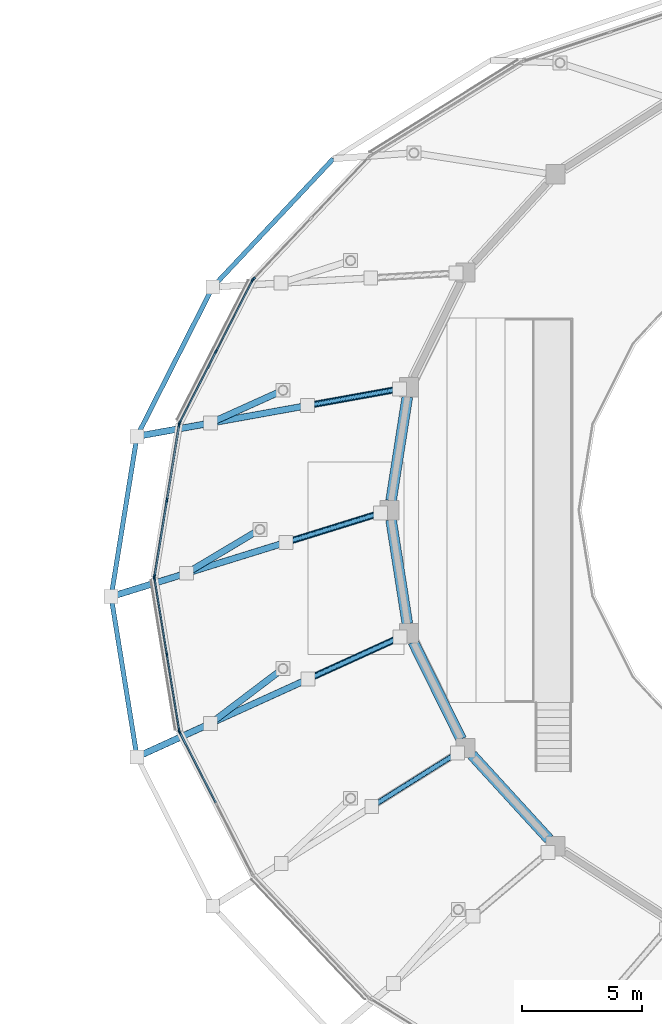
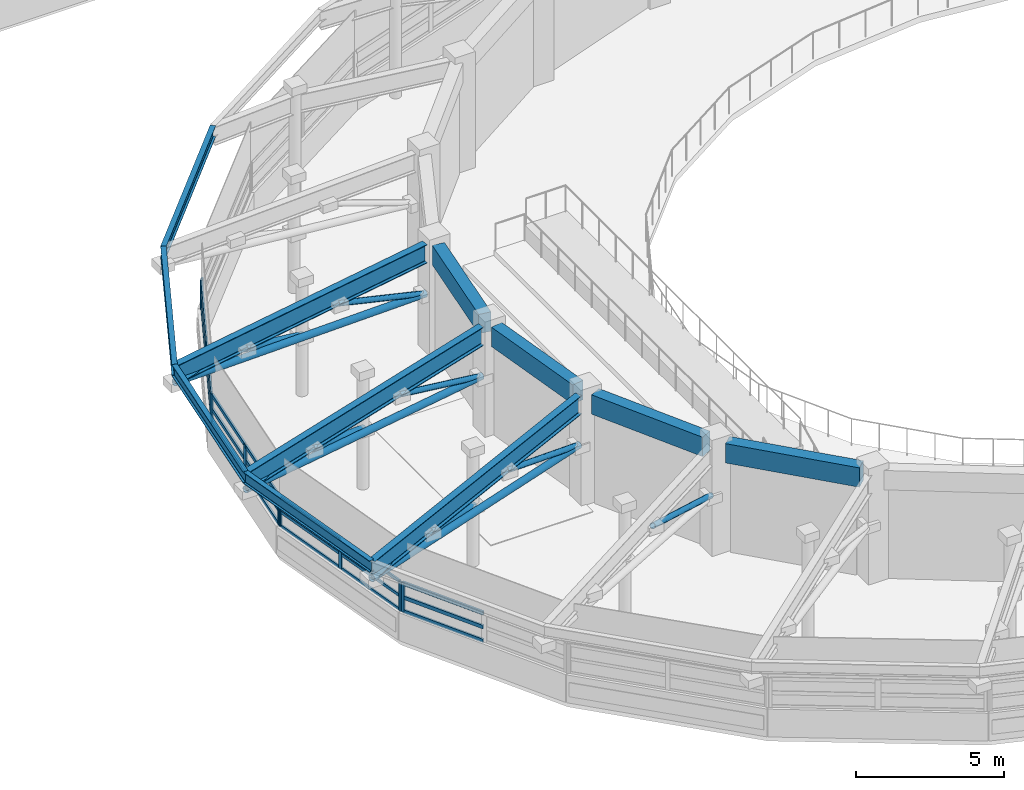
# One storey, part 15 of 58: 42 members, 11 beams, 5 elements without a shape of their own.
"""IFC4 building model written with IfcOpenShell, lengths in metres."""

from ifc_helpers import new_model, si_unit, direction, frame, origin, origin_2d, place, context, subcontext, project, spatial, rectangle, hollow_circle, i_section, extrude, material, material_profile, profile_set, type_object, element, aggregate, save


model = new_model("IFC4")

# Units and contexts
model_context = context("Model", 3, precision=1e-05, world=origin(), true_north=direction((0.0, 1.0)))
body_context = subcontext(model_context, "Body", "Model", "MODEL_VIEW")
ifc_project = project(units=[si_unit("LENGTHUNIT", "METRE"), si_unit("AREAUNIT", "SQUARE_METRE"), si_unit("VOLUMEUNIT", "CUBIC_METRE"), si_unit("PLANEANGLEUNIT", "RADIAN"), si_unit("MASSUNIT", "GRAM", prefix="KILO")], contexts=[model_context])

# Site, building, storey
site_placement = place(None, origin())
site = spatial("IfcSite", under=ifc_project, at=site_placement, CompositionType="ELEMENT")
building_placement = place(site_placement, origin())
building = spatial("IfcBuilding", under=site, at=building_placement, Name="Parian Resonance Hall", CompositionType="ELEMENT")
storey_placement = place(building_placement, frame((0.0, 0.0, 10.199951171875)))
storey = spatial("IfcBuildingStorey", under=building, at=storey_placement, Name="L02", CompositionType="ELEMENT", Elevation=10.199951171875)

# Beams
ifc_material_1 = material(Name="Concrete C40/50", Category="concrete")
ifc_material_profile_1 = material_profile(ifc_material_1, rectangle(XDim=0.449951171875, YDim=0.800048828125, at=origin_2d()), Name="RC-BM-450x800")
ifc_profile_set_1 = profile_set([ifc_material_profile_1], Name="Concrete C40/50")
beam_type_1 = type_object("IfcBeamType", Name="BM-RC450x800", PredefinedType="USERDEFINED", material=ifc_profile_set_1)
for number, where, z_axis, x_axis, name in (
    (1, (21.14208984375, 48.7294921875, 4.130126953125), (-0.155033793728, -0.987909167283, 0.0), (0.987909167283, -0.155033793728, 0.0), "Concert hall drum ring beam L02-12"),
    (2, (20.4619140625, 43.604736328125, 4.130126953125), (0.155033793728, -0.987909167283, 0.0), (0.987909167283, 0.155033793728, 0.0), "Concert hall drum ring beam L02-13"),
):
    element("IfcBeam", number, at=place(storey_placement, frame(where, z_axis=z_axis, x_axis=x_axis)), inside=storey, type_object=beam_type_1, Name=name, ObjectType="GIRDER", PredefinedType="USERDEFINED", context=body_context, shape_type="SweptSolid", body=[
        extrude(rectangle(XDim=0.449951171875, YDim=0.800048828125, at=origin_2d()), origin(), (0.0, 0.0, 1.0), 4.38720703125),
    ])
beam_1_placement = place(storey_placement, frame((21.38134765625, 38.5166015625, 4.130126953125), z_axis=(0.442697851544, -0.896670849441, 0.0), x_axis=(0.896670849441, 0.442697851544, 0.0)))
element("IfcBeam", 3, at=beam_1_placement, inside=storey, type_object=beam_type_1, Name="Concert hall drum ring beam L02-14", ObjectType="GIRDER", PredefinedType="USERDEFINED", context=body_context, shape_type="SweptSolid", body=[
    extrude(rectangle(XDim=0.449951171875, YDim=0.800048828125, at=origin_2d()), origin(), (0.0, 0.0, 1.0), 4.525390625),
])
beam_2_placement = place(storey_placement, frame((23.831787109375, 33.8046875, 4.130126953125), z_axis=(0.674892190981, -0.737916343872, 0.0), x_axis=(0.737916343872, 0.674892190981, 0.0)))
element("IfcBeam", 4, at=beam_2_placement, inside=storey, type_object=beam_type_1, Name="Concert hall drum ring beam L02-15", ObjectType="GIRDER", PredefinedType="USERDEFINED", context=body_context, shape_type="SweptSolid", body=[
    extrude(rectangle(XDim=0.449951171875, YDim=0.800048828125, at=origin_2d()), origin(), (0.0, 0.0, 1.0), 4.757080078125),
])
ifc_material_2 = material(Name="Steel S355", Category="steel")
ifc_material_profile_2 = material_profile(ifc_material_2, i_section(OverallWidth=0.194091796875, OverallDepth=0.468994140625, WebThickness=0.0126953125, FlangeThickness=0.0205078125, FilletRadius=0.01513671875, at=origin_2d()), Name="W460x106")
ifc_profile_set_2 = profile_set([ifc_material_profile_2], Name="Steel S355")
beam_type_2 = type_object("IfcBeamType", Name="BM-W460x106", PredefinedType="SPANDREL", material=ifc_profile_set_2)
beam_3_placement = place(storey_placement, frame((18.055419921875, 58.643310546875, 4.265625), z_axis=(-0.684842129235, -0.728691469708, 0.0), x_axis=(0.728691469708, -0.684842129235, 0.0)))
element("IfcBeam", 5, at=beam_3_placement, inside=storey, type_object=beam_type_2, Name="Elliptical R3 perimeter spandrel beam 10", PredefinedType="SPANDREL", context=body_context, shape_type="SweptSolid", body=[
    extrude(i_section(OverallWidth=0.194091796875, OverallDepth=0.468994140625, WebThickness=0.0126953125, FlangeThickness=0.0205078125, FilletRadius=0.01513671875, at=origin_2d()), origin(), (0.0, 0.0, 1.0), 7.332763671875),
])
beam_4_placement = place(storey_placement, frame((13.03369140625, 53.300048828125, 4.265625), z_axis=(-0.452440262938, -0.891794712068, 0.0), x_axis=(0.891794712068, -0.452440262938, 0.0)))
element("IfcBeam", 6, at=beam_4_placement, inside=storey, type_object=beam_type_2, Name="Elliptical R3 perimeter spandrel beam 11", PredefinedType="SPANDREL", context=body_context, shape_type="SweptSolid", body=[
    extrude(i_section(OverallWidth=0.194091796875, OverallDepth=0.468994140625, WebThickness=0.0126953125, FlangeThickness=0.0205078125, FilletRadius=0.01513671875, at=origin_2d()), origin(), (0.0, 0.0, 1.0), 6.977783203125),
])
for number, where, z_axis, x_axis, name in (
    (7, (9.876708984375, 47.077392578125, 4.265625), (-0.159181370366, -0.987249356206, 0.0), (0.987249356206, -0.159181370366, 0.0), "Elliptical R3 perimeter spandrel beam 12"),
    (8, (8.800048828125, 40.39990234375, 4.265625), (0.159181370366, -0.987249356206, 0.0), (0.987249356206, 0.159181370366, 0.0), "Elliptical R3 perimeter spandrel beam 13"),
):
    element("IfcBeam", number, at=place(storey_placement, frame(where, z_axis=z_axis, x_axis=x_axis)), inside=storey, type_object=beam_type_2, Name=name, PredefinedType="SPANDREL", context=body_context, shape_type="SweptSolid", body=[
        extrude(i_section(OverallWidth=0.194091796875, OverallDepth=0.468994140625, WebThickness=0.0126953125, FlangeThickness=0.0205078125, FilletRadius=0.01513671875, at=origin_2d()), origin(), (0.0, 0.0, 1.0), 6.763671875),
    ])
ifc_material_3 = material(Name="Steel S355", Category="steel")
ifc_material_profile_3 = material_profile(ifc_material_3, i_section(OverallWidth=0.26806640625, OverallDepth=0.77001953125, WebThickness=0.015625, FlangeThickness=0.025390625, FilletRadius=0.020263671875, at=origin_2d()), Name="W760x196")
ifc_profile_set_3 = profile_set([ifc_material_profile_3], Name="Steel S355")
beam_type_3 = type_object("IfcBeamType", Name="CG3 W760x196", PredefinedType="USERDEFINED", material=ifc_profile_set_3)
beam_5_placement = place(storey_placement, frame((20.810546875, 49.053466796875, 4.114990234375), z_axis=(-0.984057804085, -0.177848919644, 0.0), x_axis=(0.177848919644, -0.984057804085, 0.0)))
element("IfcBeam", 9, at=beam_5_placement, inside=storey, type_object=beam_type_3, Name="Radial ring cantilever girder R3-12", ObjectType="GIRDER", PredefinedType="USERDEFINED", context=body_context, shape_type="SweptSolid", body=[
    extrude(i_section(OverallWidth=0.26806640625, OverallDepth=0.77001953125, WebThickness=0.015625, FlangeThickness=0.025390625, FilletRadius=0.020263671875, at=origin_2d()), origin(), (0.0, 0.0, 1.0), 11.111083984375),
])
beam_6_placement = place(storey_placement, frame((20.01806640625, 43.88134765625, 4.114990234375), z_axis=(-0.955064339705, -0.296398561104, 0.0), x_axis=(0.296398561104, -0.955064339705, 0.0)))
element("IfcBeam", 10, at=beam_6_placement, inside=storey, type_object=beam_type_3, Name="Radial ring cantilever girder R3-13", ObjectType="GIRDER", PredefinedType="USERDEFINED", context=body_context, shape_type="SweptSolid", body=[
    extrude(i_section(OverallWidth=0.26806640625, OverallDepth=0.77001953125, WebThickness=0.015625, FlangeThickness=0.025390625, FilletRadius=0.020263671875, at=origin_2d()), origin(), (0.0, 0.0, 1.0), 11.745849609375),
])
beam_7_placement = place(storey_placement, frame((20.840087890625, 38.709716796875, 4.114990234375), z_axis=(-0.910242873415, -0.414074765468, 0.0), x_axis=(0.414074765468, -0.910242873415, 0.0)))
element("IfcBeam", 11, at=beam_7_placement, inside=storey, type_object=beam_type_3, Name="Radial ring cantilever girder R3-14", ObjectType="GIRDER", PredefinedType="USERDEFINED", context=body_context, shape_type="SweptSolid", body=[
    extrude(i_section(OverallWidth=0.26806640625, OverallDepth=0.77001953125, WebThickness=0.015625, FlangeThickness=0.025390625, FilletRadius=0.020263671875, at=origin_2d()), origin(), (0.0, 0.0, 1.0), 12.04443359375),
])

# Curtain wall, members
ifc_material_4 = material(Name="Bronze-anodised aluminium frame", Category="aluminium")
curtain_wall_type_1 = type_object("IfcCurtainWallType", Name="CW-SYS-06", PredefinedType="NOTDEFINED", material=ifc_material_4)
curtain_wall_1_placement = place(storey_placement, origin())
curtain_wall_1 = element("IfcCurtainWall", 12, at=curtain_wall_1_placement, inside=storey, type_object=curtain_wall_type_1, Name="Elliptical R2 recessed strip curtain wall 11", PredefinedType="NOTDEFINED")
ifc_material_5 = material(Name="Bronze-anodised aluminium frame", Category="aluminium")
ifc_material_profile_4 = material_profile(ifc_material_5, rectangle(XDim=0.06494140625, YDim=0.159912109375, at=origin_2d()), Name="CWM-65x160")
ifc_profile_set_4 = profile_set([ifc_material_profile_4], Name="Bronze-anodised aluminium frame")
member_type_1 = type_object("IfcMemberType", Name="CWM-65x160", PredefinedType="MULLION", material=ifc_profile_set_4)
member_1_placement = place(storey_placement, frame((11.657470703125, 47.647705078125, 1.14208984375), z_axis=(0.0, 0.0, 1.0), x_axis=(-0.890447284085, 0.455086403076, 0.0)))
member_1 = element("IfcMember", 13, at=member_1_placement, type_object=member_type_1, Name="CW-06 mullion 1", PredefinedType="MULLION", context=body_context, shape_type="SweptSolid", body=[
    extrude(rectangle(XDim=0.06494140625, YDim=0.159912109375, at=origin_2d()), origin(), (0.0, 0.0, 1.0), 1.218017578125),
])
member_2_placement = place(storey_placement, frame((13.171142578125, 50.609375, 1.14208984375), z_axis=(0.0, 0.0, 1.0), x_axis=(-0.890447284085, 0.455086403076, 0.0)))
member_2 = element("IfcMember", 14, at=member_2_placement, type_object=member_type_1, Name="CW-06 mullion 2", PredefinedType="MULLION", context=body_context, shape_type="SweptSolid", body=[
    extrude(rectangle(XDim=0.06494140625, YDim=0.159912109375, at=origin_2d()), origin(), (0.0, 0.0, 1.0), 1.218017578125),
])
member_3_placement = place(storey_placement, frame((14.684814453125, 53.571044921875, 1.14208984375), z_axis=(0.0, 0.0, 1.0), x_axis=(-0.890447284085, 0.455086403076, 0.0)))
member_3 = element("IfcMember", 15, at=member_3_placement, type_object=member_type_1, Name="CW-06 mullion 3", PredefinedType="MULLION", context=body_context, shape_type="SweptSolid", body=[
    extrude(rectangle(XDim=0.06494140625, YDim=0.159912109375, at=origin_2d()), origin(), (0.0, 0.0, 1.0), 1.218017578125),
])

ifc_material_6 = material(Name="Bronze-anodised aluminium frame", Category="aluminium")
curtain_wall_type_2 = type_object("IfcCurtainWallType", Name="CW-SYS-02", PredefinedType="NOTDEFINED", material=ifc_material_6)
curtain_wall_2_placement = place(storey_placement, origin())
curtain_wall_2 = element("IfcCurtainWall", 16, at=curtain_wall_2_placement, inside=storey, type_object=curtain_wall_type_2, Name="Elliptical R2 recessed strip curtain wall 13", PredefinedType="NOTDEFINED")
member_4_placement = place(storey_placement, frame((11.637451171875, 34.8134765625, 1.14208984375), z_axis=(0.0, 0.0, 1.0), x_axis=(-0.98706098059, -0.160345316726, 0.0)))
member_4 = element("IfcMember", 17, at=member_4_placement, type_object=member_type_1, Name="CW-02 mullion 1", PredefinedType="MULLION", context=body_context, shape_type="SweptSolid", body=[
    extrude(rectangle(XDim=0.06494140625, YDim=0.159912109375, at=origin_2d()), origin(), (0.0, 0.0, 1.0), 1.218017578125),
])
member_5_placement = place(storey_placement, frame((11.121337890625, 37.99072265625, 1.14208984375), z_axis=(0.0, 0.0, 1.0), x_axis=(-0.98706098059, -0.160345316726, 0.0)))
member_5 = element("IfcMember", 18, at=member_5_placement, type_object=member_type_1, Name="CW-02 mullion 2", PredefinedType="MULLION", context=body_context, shape_type="SweptSolid", body=[
    extrude(rectangle(XDim=0.06494140625, YDim=0.159912109375, at=origin_2d()), origin(), (0.0, 0.0, 1.0), 1.218017578125),
])
member_6_placement = place(storey_placement, frame((10.605224609375, 41.16796875, 1.14208984375), z_axis=(0.0, 0.0, 1.0), x_axis=(-0.98706098059, -0.160345316726, 0.0)))
member_6 = element("IfcMember", 19, at=member_6_placement, type_object=member_type_1, Name="CW-02 mullion 3", PredefinedType="MULLION", context=body_context, shape_type="SweptSolid", body=[
    extrude(rectangle(XDim=0.06494140625, YDim=0.159912109375, at=origin_2d()), origin(), (0.0, 0.0, 1.0), 1.218017578125),
])

# Curtain wall, member
ifc_material_7 = material(Name="Bronze-anodised aluminium frame", Category="aluminium")
curtain_wall_type_3 = type_object("IfcCurtainWallType", Name="CW-SYS-05", PredefinedType="NOTDEFINED", material=ifc_material_7)
curtain_wall_3_placement = place(storey_placement, origin())
curtain_wall_3 = element("IfcCurtainWall", 20, at=curtain_wall_3_placement, inside=storey, type_object=curtain_wall_type_3, Name="Elliptical R2 recessed strip curtain wall 10", PredefinedType="NOTDEFINED")
ifc_material_8 = material(Name="Bronze-anodised aluminium frame", Category="aluminium")
ifc_material_profile_5 = material_profile(ifc_material_8, rectangle(XDim=0.074951171875, YDim=0.199951171875, at=origin_2d()), Name="CWM-75x200")
ifc_profile_set_5 = profile_set([ifc_material_profile_5], Name="Bronze-anodised aluminium frame")
member_type_2 = type_object("IfcMemberType", Name="CWM-75x200", PredefinedType="MULLION", material=ifc_profile_set_5)
member_7_placement = place(storey_placement, frame((14.725341796875, 53.627197265625, 1.14208984375), z_axis=(0.0, 0.0, 1.0), x_axis=(-0.72616255486, 0.687523049737, 0.0)))
member_7 = element("IfcMember", 21, at=member_7_placement, type_object=member_type_2, Name="CW-05 mullion 1", PredefinedType="MULLION", context=body_context, shape_type="SweptSolid", body=[
    extrude(rectangle(XDim=0.074951171875, YDim=0.199951171875, at=origin_2d()), origin(), (0.0, 0.0, 1.0), 1.218017578125),
])
aggregate(curtain_wall_3, [member_7])

# Curtain wall, members
ifc_material_9 = material(Name="Bronze-anodised aluminium frame", Category="aluminium")
curtain_wall_type_4 = type_object("IfcCurtainWallType", Name="CW-SYS-01", PredefinedType="NOTDEFINED", material=ifc_material_9)
curtain_wall_4_placement = place(storey_placement, origin())
curtain_wall_4 = element("IfcCurtainWall", 22, at=curtain_wall_4_placement, inside=storey, type_object=curtain_wall_type_4, Name="Elliptical R2 recessed strip curtain wall 12", PredefinedType="NOTDEFINED")
member_8_placement = place(storey_placement, frame((10.60595703125, 41.237060546875, 1.14208984375), z_axis=(0.0, 0.0, 1.0), x_axis=(-0.98706098059, 0.160345316726, 0.0)))
member_8 = element("IfcMember", 23, at=member_8_placement, type_object=member_type_2, Name="CW-01 mullion 1", PredefinedType="MULLION", context=body_context, shape_type="SweptSolid", body=[
    extrude(rectangle(XDim=0.074951171875, YDim=0.199951171875, at=origin_2d()), origin(), (0.0, 0.0, 1.0), 1.218017578125),
])
member_9_placement = place(storey_placement, frame((11.121337890625, 44.409423828125, 1.14208984375), z_axis=(0.0, 0.0, 1.0), x_axis=(-0.98706098059, 0.160345316726, 0.0)))
member_9 = element("IfcMember", 24, at=member_9_placement, type_object=member_type_2, Name="CW-01 mullion 2", PredefinedType="MULLION", context=body_context, shape_type="SweptSolid", body=[
    extrude(rectangle(XDim=0.074951171875, YDim=0.199951171875, at=origin_2d()), origin(), (0.0, 0.0, 1.0), 1.218017578125),
])
member_10_placement = place(storey_placement, frame((11.63671875, 47.581787109375, 1.14208984375), z_axis=(0.0, 0.0, 1.0), x_axis=(-0.98706098059, 0.160345316726, 0.0)))
member_10 = element("IfcMember", 25, at=member_10_placement, type_object=member_type_2, Name="CW-01 mullion 3", PredefinedType="MULLION", context=body_context, shape_type="SweptSolid", body=[
    extrude(rectangle(XDim=0.074951171875, YDim=0.199951171875, at=origin_2d()), origin(), (0.0, 0.0, 1.0), 1.218017578125),
])

# Curtain wall, member
ifc_material_10 = material(Name="Bronze-anodised aluminium frame", Category="aluminium")
curtain_wall_type_5 = type_object("IfcCurtainWallType", Name="CW-SYS-03", PredefinedType="NOTDEFINED", material=ifc_material_10)
curtain_wall_5_placement = place(storey_placement, origin())
curtain_wall_5 = element("IfcCurtainWall", 26, at=curtain_wall_5_placement, inside=storey, type_object=curtain_wall_type_5, Name="Elliptical R2 recessed strip curtain wall 14", PredefinedType="NOTDEFINED")
member_11_placement = place(storey_placement, frame((11.65966796875, 34.747802734375, 1.14208984375), z_axis=(0.0, 0.0, 1.0), x_axis=(-0.890447284085, -0.455086403076, 0.0)))
member_11 = element("IfcMember", 27, at=member_11_placement, type_object=member_type_2, Name="CW-03 mullion 3", PredefinedType="MULLION", context=body_context, shape_type="SweptSolid", body=[
    extrude(rectangle(XDim=0.074951171875, YDim=0.199951171875, at=origin_2d()), origin(), (0.0, 0.0, 1.0), 1.218017578125),
])

# Member
ifc_material_11 = material(Name="Bronze-anodised aluminium frame", Category="aluminium")
ifc_material_profile_6 = material_profile(ifc_material_11, rectangle(XDim=0.06494140625, YDim=0.1201171875, at=origin_2d()), Name="CWT-65x120")
ifc_profile_set_6 = profile_set([ifc_material_profile_6], Name="Bronze-anodised aluminium frame")
member_type_3 = type_object("IfcMemberType", Name="CWT-65x120", PredefinedType="USERDEFINED", material=ifc_profile_set_6)
member_12_placement = place(storey_placement, frame((11.67236328125, 47.676513671875, 1.174560546875), z_axis=(0.455042464428, 0.890469738715, 0.0), x_axis=(-0.890469738715, 0.455042464428, 0.0)))
member_12 = element("IfcMember", 28, at=member_12_placement, type_object=member_type_3, Name="CW-06 transom 1.1", ObjectType="TRANSOM", PredefinedType="USERDEFINED", context=body_context, shape_type="SweptSolid", body=[
    extrude(rectangle(XDim=0.06494140625, YDim=0.1201171875, at=origin_2d()), origin(), (0.0, 0.0, 1.0), 3.260986328125),
])

member_13_placement = place(storey_placement, frame((11.67236328125, 47.676513671875, 1.75), z_axis=(0.455042464428, 0.890469738715, 0.0), x_axis=(-0.890469738715, 0.455042464428, 0.0)))
member_13 = element("IfcMember", 29, at=member_13_placement, type_object=member_type_3, Name="CW-06 transom 1.2", ObjectType="TRANSOM", PredefinedType="USERDEFINED", context=body_context, shape_type="SweptSolid", body=[
    extrude(rectangle(XDim=0.06494140625, YDim=0.1201171875, at=origin_2d()), origin(), (0.0, 0.0, 1.0), 3.260986328125),
])

member_14_placement = place(storey_placement, frame((11.67236328125, 47.676513671875, 2.32763671875), z_axis=(0.455042464428, 0.890469738715, 0.0), x_axis=(-0.890469738715, 0.455042464428, 0.0)))
member_14 = element("IfcMember", 30, at=member_14_placement, type_object=member_type_3, Name="CW-06 transom 1.3", ObjectType="TRANSOM", PredefinedType="USERDEFINED", context=body_context, shape_type="SweptSolid", body=[
    extrude(rectangle(XDim=0.06494140625, YDim=0.1201171875, at=origin_2d()), origin(), (0.0, 0.0, 1.0), 3.260986328125),
])

member_15_placement = place(storey_placement, frame((13.18603515625, 50.63818359375, 1.174560546875), z_axis=(0.455012129907, 0.890485239427, 0.0), x_axis=(-0.890485239427, 0.455012129907, 0.0)))
member_15 = element("IfcMember", 31, at=member_15_placement, type_object=member_type_3, Name="CW-06 transom 2.1", ObjectType="TRANSOM", PredefinedType="USERDEFINED", context=body_context, shape_type="SweptSolid", body=[
    extrude(rectangle(XDim=0.06494140625, YDim=0.1201171875, at=origin_2d()), origin(), (0.0, 0.0, 1.0), 3.26123046875),
])

member_16_placement = place(storey_placement, frame((13.18603515625, 50.63818359375, 1.75), z_axis=(0.455012129907, 0.890485239427, 0.0), x_axis=(-0.890485239427, 0.455012129907, 0.0)))
member_16 = element("IfcMember", 32, at=member_16_placement, type_object=member_type_3, Name="CW-06 transom 2.2", ObjectType="TRANSOM", PredefinedType="USERDEFINED", context=body_context, shape_type="SweptSolid", body=[
    extrude(rectangle(XDim=0.06494140625, YDim=0.1201171875, at=origin_2d()), origin(), (0.0, 0.0, 1.0), 3.26123046875),
])

member_17_placement = place(storey_placement, frame((13.18603515625, 50.63818359375, 2.32763671875), z_axis=(0.455012129907, 0.890485239427, 0.0), x_axis=(-0.890485239427, 0.455012129907, 0.0)))
member_17 = element("IfcMember", 33, at=member_17_placement, type_object=member_type_3, Name="CW-06 transom 2.3", ObjectType="TRANSOM", PredefinedType="USERDEFINED", context=body_context, shape_type="SweptSolid", body=[
    extrude(rectangle(XDim=0.06494140625, YDim=0.1201171875, at=origin_2d()), origin(), (0.0, 0.0, 1.0), 3.26123046875),
])

aggregate(curtain_wall_1, [member_1, member_2, member_3, member_12, member_13, member_14, member_15, member_16, member_17])

member_18_placement = place(storey_placement, frame((11.63232421875, 34.845458984375, 1.174560546875), z_axis=(-0.160393241188, 0.9870531942, 0.0), x_axis=(-0.9870531942, -0.160393241188, 0.0)))
member_18 = element("IfcMember", 34, at=member_18_placement, type_object=member_type_3, Name="CW-02 transom 1.1", ObjectType="TRANSOM", PredefinedType="USERDEFINED", context=body_context, shape_type="SweptSolid", body=[
    extrude(rectangle(XDim=0.06494140625, YDim=0.1201171875, at=origin_2d()), origin(), (0.0, 0.0, 1.0), 3.15380859375),
])

member_19_placement = place(storey_placement, frame((11.63232421875, 34.845458984375, 1.75), z_axis=(-0.160393241188, 0.9870531942, 0.0), x_axis=(-0.9870531942, -0.160393241188, 0.0)))
member_19 = element("IfcMember", 35, at=member_19_placement, type_object=member_type_3, Name="CW-02 transom 1.2", ObjectType="TRANSOM", PredefinedType="USERDEFINED", context=body_context, shape_type="SweptSolid", body=[
    extrude(rectangle(XDim=0.06494140625, YDim=0.1201171875, at=origin_2d()), origin(), (0.0, 0.0, 1.0), 3.15380859375),
])

member_20_placement = place(storey_placement, frame((11.63232421875, 34.845458984375, 2.32763671875), z_axis=(-0.160393241188, 0.9870531942, 0.0), x_axis=(-0.9870531942, -0.160393241188, 0.0)))
member_20 = element("IfcMember", 36, at=member_20_placement, type_object=member_type_3, Name="CW-02 transom 1.3", ObjectType="TRANSOM", PredefinedType="USERDEFINED", context=body_context, shape_type="SweptSolid", body=[
    extrude(rectangle(XDim=0.06494140625, YDim=0.1201171875, at=origin_2d()), origin(), (0.0, 0.0, 1.0), 3.15380859375),
])

member_21_placement = place(storey_placement, frame((11.1162109375, 38.022705078125, 1.174560546875), z_axis=(-0.160393241188, 0.9870531942, 0.0), x_axis=(-0.9870531942, -0.160393241188, 0.0)))
member_21 = element("IfcMember", 37, at=member_21_placement, type_object=member_type_3, Name="CW-02 transom 2.1", ObjectType="TRANSOM", PredefinedType="USERDEFINED", context=body_context, shape_type="SweptSolid", body=[
    extrude(rectangle(XDim=0.06494140625, YDim=0.1201171875, at=origin_2d()), origin(), (0.0, 0.0, 1.0), 3.15380859375),
])

member_22_placement = place(storey_placement, frame((11.1162109375, 38.022705078125, 1.75), z_axis=(-0.160393241188, 0.9870531942, 0.0), x_axis=(-0.9870531942, -0.160393241188, 0.0)))
member_22 = element("IfcMember", 38, at=member_22_placement, type_object=member_type_3, Name="CW-02 transom 2.2", ObjectType="TRANSOM", PredefinedType="USERDEFINED", context=body_context, shape_type="SweptSolid", body=[
    extrude(rectangle(XDim=0.06494140625, YDim=0.1201171875, at=origin_2d()), origin(), (0.0, 0.0, 1.0), 3.15380859375),
])

member_23_placement = place(storey_placement, frame((11.1162109375, 38.022705078125, 2.32763671875), z_axis=(-0.160393241188, 0.9870531942, 0.0), x_axis=(-0.9870531942, -0.160393241188, 0.0)))
member_23 = element("IfcMember", 39, at=member_23_placement, type_object=member_type_3, Name="CW-02 transom 2.3", ObjectType="TRANSOM", PredefinedType="USERDEFINED", context=body_context, shape_type="SweptSolid", body=[
    extrude(rectangle(XDim=0.06494140625, YDim=0.1201171875, at=origin_2d()), origin(), (0.0, 0.0, 1.0), 3.15380859375),
])

aggregate(curtain_wall_2, [member_4, member_5, member_6, member_18, member_19, member_20, member_21, member_22, member_23])

ifc_material_12 = material(Name="Bronze-anodised aluminium frame", Category="aluminium")
ifc_material_profile_7 = material_profile(ifc_material_12, rectangle(XDim=0.074951171875, YDim=0.14990234375, at=origin_2d()), Name="CWT-75x150")
ifc_profile_set_7 = profile_set([ifc_material_profile_7], Name="Bronze-anodised aluminium frame")
member_type_4 = type_object("IfcMemberType", Name="CWT-75x150", PredefinedType="USERDEFINED", material=ifc_profile_set_7)
member_24_placement = place(storey_placement, frame((10.612060546875, 41.27392578125, 1.179443359375), z_axis=(0.160298506876, 0.987068583581, 0.0), x_axis=(-0.987068583581, 0.160298506876, 0.0)))
member_24 = element("IfcMember", 40, at=member_24_placement, type_object=member_type_4, Name="CW-01 transom 1.1", ObjectType="TRANSOM", PredefinedType="USERDEFINED", context=body_context, shape_type="SweptSolid", body=[
    extrude(rectangle(XDim=0.074951171875, YDim=0.14990234375, at=origin_2d()), origin(), (0.0, 0.0, 1.0), 3.138916015625),
])

member_25_placement = place(storey_placement, frame((10.612060546875, 41.27392578125, 1.75), z_axis=(0.160298506876, 0.987068583581, 0.0), x_axis=(-0.987068583581, 0.160298506876, 0.0)))
member_25 = element("IfcMember", 41, at=member_25_placement, type_object=member_type_4, Name="CW-01 transom 1.2", ObjectType="TRANSOM", PredefinedType="USERDEFINED", context=body_context, shape_type="SweptSolid", body=[
    extrude(rectangle(XDim=0.074951171875, YDim=0.14990234375, at=origin_2d()), origin(), (0.0, 0.0, 1.0), 3.138916015625),
])

member_26_placement = place(storey_placement, frame((10.612060546875, 41.27392578125, 2.322509765625), z_axis=(0.160298506876, 0.987068583581, 0.0), x_axis=(-0.987068583581, 0.160298506876, 0.0)))
member_26 = element("IfcMember", 42, at=member_26_placement, type_object=member_type_4, Name="CW-01 transom 1.3", ObjectType="TRANSOM", PredefinedType="USERDEFINED", context=body_context, shape_type="SweptSolid", body=[
    extrude(rectangle(XDim=0.074951171875, YDim=0.14990234375, at=origin_2d()), origin(), (0.0, 0.0, 1.0), 3.138916015625),
])

member_27_placement = place(storey_placement, frame((11.12744140625, 44.4462890625, 1.179443359375), z_axis=(0.160298506876, 0.987068583581, 0.0), x_axis=(-0.987068583581, 0.160298506876, 0.0)))
member_27 = element("IfcMember", 43, at=member_27_placement, type_object=member_type_4, Name="CW-01 transom 2.1", ObjectType="TRANSOM", PredefinedType="USERDEFINED", context=body_context, shape_type="SweptSolid", body=[
    extrude(rectangle(XDim=0.074951171875, YDim=0.14990234375, at=origin_2d()), origin(), (0.0, 0.0, 1.0), 3.138916015625),
])

member_28_placement = place(storey_placement, frame((11.12744140625, 44.4462890625, 1.75), z_axis=(0.160298506876, 0.987068583581, 0.0), x_axis=(-0.987068583581, 0.160298506876, 0.0)))
member_28 = element("IfcMember", 44, at=member_28_placement, type_object=member_type_4, Name="CW-01 transom 2.2", ObjectType="TRANSOM", PredefinedType="USERDEFINED", context=body_context, shape_type="SweptSolid", body=[
    extrude(rectangle(XDim=0.074951171875, YDim=0.14990234375, at=origin_2d()), origin(), (0.0, 0.0, 1.0), 3.138916015625),
])

member_29_placement = place(storey_placement, frame((11.12744140625, 44.4462890625, 2.322509765625), z_axis=(0.160298506876, 0.987068583581, 0.0), x_axis=(-0.987068583581, 0.160298506876, 0.0)))
member_29 = element("IfcMember", 45, at=member_29_placement, type_object=member_type_4, Name="CW-01 transom 2.3", ObjectType="TRANSOM", PredefinedType="USERDEFINED", context=body_context, shape_type="SweptSolid", body=[
    extrude(rectangle(XDim=0.074951171875, YDim=0.14990234375, at=origin_2d()), origin(), (0.0, 0.0, 1.0), 3.138916015625),
])

aggregate(curtain_wall_4, [member_8, member_9, member_10, member_24, member_25, member_26, member_27, member_28, member_29])

member_30_placement = place(storey_placement, frame((13.154052734375, 31.823974609375, 1.179443359375), z_axis=(-0.455077931853, 0.890451613475, 0.0), x_axis=(-0.890451613475, -0.455077931853, 0.0)))
member_30 = element("IfcMember", 46, at=member_30_placement, type_object=member_type_4, Name="CW-03 transom 2.1", ObjectType="TRANSOM", PredefinedType="USERDEFINED", context=body_context, shape_type="SweptSolid", body=[
    extrude(rectangle(XDim=0.074951171875, YDim=0.14990234375, at=origin_2d()), origin(), (0.0, 0.0, 1.0), 3.246337890625),
])

member_31_placement = place(storey_placement, frame((13.154052734375, 31.823974609375, 1.75), z_axis=(-0.455077931853, 0.890451613475, 0.0), x_axis=(-0.890451613475, -0.455077931853, 0.0)))
member_31 = element("IfcMember", 47, at=member_31_placement, type_object=member_type_4, Name="CW-03 transom 2.2", ObjectType="TRANSOM", PredefinedType="USERDEFINED", context=body_context, shape_type="SweptSolid", body=[
    extrude(rectangle(XDim=0.074951171875, YDim=0.14990234375, at=origin_2d()), origin(), (0.0, 0.0, 1.0), 3.246337890625),
])

member_32_placement = place(storey_placement, frame((13.154052734375, 31.823974609375, 2.322509765625), z_axis=(-0.455077931853, 0.890451613475, 0.0), x_axis=(-0.890451613475, -0.455077931853, 0.0)))
member_32 = element("IfcMember", 48, at=member_32_placement, type_object=member_type_4, Name="CW-03 transom 2.3", ObjectType="TRANSOM", PredefinedType="USERDEFINED", context=body_context, shape_type="SweptSolid", body=[
    extrude(rectangle(XDim=0.074951171875, YDim=0.14990234375, at=origin_2d()), origin(), (0.0, 0.0, 1.0), 3.246337890625),
])

aggregate(curtain_wall_5, [member_11, member_30, member_31, member_32])

# Members
ifc_material_13 = material(Name="Hollow structural steel S355", Category="steel")
ifc_material_profile_8 = material_profile(ifc_material_13, hollow_circle(Radius=0.109619140625, WallThickness=0.010009765625, at=origin_2d()), Name="CHS219.1x10")
ifc_profile_set_8 = profile_set([ifc_material_profile_8], Name="Hollow structural steel S355")
member_type_5 = type_object("IfcMemberType", Name="MEM-CHS219", PredefinedType="CHORD", material=ifc_profile_set_8)
member_33_placement = place(storey_placement, frame((20.810546875, 49.053466796875, 2.400146484375), z_axis=(-0.929647026897, -0.168018502533, 0.327911860396), x_axis=(0.177852252165, -0.984057201793, 0.0)))
element("IfcMember", 49, at=member_33_placement, inside=storey, type_object=member_type_5, Name="Elliptical ring truss inner web R3-12", PredefinedType="CHORD", context=body_context, shape_type="SweptSolid", body=[
    extrude(hollow_circle(Radius=0.109619140625, WallThickness=0.010009765625, at=origin_2d()), origin(), (0.0, 0.0, 1.0), 4.116455078125),
])
member_34_placement = place(storey_placement, frame((20.01806640625, 43.88134765625, 2.400146484375), z_axis=(-0.907399905686, -0.281608812914, 0.311964561531), x_axis=(0.296401082796, -0.955063557109, 0.0)))
element("IfcMember", 50, at=member_34_placement, inside=storey, type_object=member_type_5, Name="Elliptical ring truss inner web R3-13", PredefinedType="CHORD", context=body_context, shape_type="SweptSolid", body=[
    extrude(hollow_circle(Radius=0.109619140625, WallThickness=0.010009765625, at=origin_2d()), origin(), (0.0, 0.0, 1.0), 4.326904296875),
])
member_35_placement = place(storey_placement, frame((20.840087890625, 38.709716796875, 2.400146484375), z_axis=(-0.866879928114, -0.394362250176, 0.304955088283), x_axis=(0.41408654514, -0.910237514682, 0.0)))
element("IfcMember", 51, at=member_35_placement, inside=storey, type_object=member_type_5, Name="Elliptical ring truss inner web R3-14", PredefinedType="CHORD", context=body_context, shape_type="SweptSolid", body=[
    extrude(hollow_circle(Radius=0.109619140625, WallThickness=0.010009765625, at=origin_2d()), origin(), (0.0, 0.0, 1.0), 4.426513671875),
])
member_36_placement = place(storey_placement, frame((23.222900390625, 33.887451171875, 2.400146484375), z_axis=(-0.806820472553, -0.505754043481, 0.305374479241), x_axis=(0.531124624495, -0.847293711327, 0.0)))
element("IfcMember", 52, at=member_36_placement, inside=storey, type_object=member_type_5, Name="Elliptical ring truss inner web R3-15", PredefinedType="CHORD", context=body_context, shape_type="SweptSolid", body=[
    extrude(hollow_circle(Radius=0.109619140625, WallThickness=0.010009765625, at=origin_2d()), origin(), (0.0, 0.0, 1.0), 4.42041015625),
])
ifc_material_14 = material(Name="Hollow structural steel S355", Category="steel")
ifc_material_profile_9 = material_profile(ifc_material_14, hollow_circle(Radius=0.136474609375, WallThickness=0.012451171875, at=origin_2d()), Name="CHS273x12.5")
ifc_profile_set_9 = profile_set([ifc_material_profile_9], Name="Hollow structural steel S355")
member_type_6 = type_object("IfcMemberType", Name="MEM-CHS273", PredefinedType="CHORD", material=ifc_profile_set_9)
member_37_placement = place(storey_placement, frame((20.810546875, 49.053466796875, 2.400146484375), z_axis=(-0.976875155396, -0.176550798432, 0.120601601746), x_axis=(0.177848919644, -0.984057804085, 0.0)))
element("IfcMember", 53, at=member_37_placement, inside=storey, type_object=member_type_6, Name="Elliptical ring truss lower chord R3-12", PredefinedType="CHORD", context=body_context, shape_type="SweptSolid", body=[
    extrude(hollow_circle(Radius=0.136474609375, WallThickness=0.012451171875, at=origin_2d()), origin(), (0.0, 0.0, 1.0), 11.192626953125),
])
member_38_placement = place(storey_placement, frame((20.01806640625, 43.88134765625, 2.400146484375), z_axis=(-0.94881933239, -0.294460460073, 0.114170538832), x_axis=(0.296398561104, -0.955064339705, 0.0)))
element("IfcMember", 54, at=member_38_placement, inside=storey, type_object=member_type_6, Name="Elliptical ring truss lower chord R3-13", PredefinedType="CHORD", context=body_context, shape_type="SweptSolid", body=[
    extrude(hollow_circle(Radius=0.136474609375, WallThickness=0.012451171875, at=origin_2d()), origin(), (0.0, 0.0, 1.0), 11.8232421875),
])
member_39_placement = place(storey_placement, frame((20.840087890625, 38.709716796875, 2.400146484375), z_axis=(-0.904579717411, -0.411498562938, 0.111375345334), x_axis=(0.414074765468, -0.910242873415, 0.0)))
element("IfcMember", 55, at=member_39_placement, inside=storey, type_object=member_type_6, Name="Elliptical ring truss lower chord R3-14", PredefinedType="CHORD", context=body_context, shape_type="SweptSolid", body=[
    extrude(hollow_circle(Radius=0.136474609375, WallThickness=0.012451171875, at=origin_2d()), origin(), (0.0, 0.0, 1.0), 12.119873046875),
])
ifc_material_15 = material(Name="Hollow structural steel S355", Category="steel")
ifc_material_profile_10 = material_profile(ifc_material_15, hollow_circle(Radius=0.136474609375, WallThickness=0.012451171875, at=origin_2d()), Name="CHS273x12.5")
ifc_profile_set_10 = profile_set([ifc_material_profile_10], Name="Hollow structural steel S355")
member_type_7 = type_object("IfcMemberType", Name="MEM-STRUT273", PredefinedType="BRACE", material=ifc_profile_set_10)
member_40_placement = place(storey_placement, frame((15.9609375, 48.99755859375, 2.400146484375), z_axis=(-0.843991387388, -0.381605991971, 0.376902381138), x_axis=(0.411988946338, -0.911188843268, 0.0)))
element("IfcMember", 56, at=member_40_placement, inside=storey, type_object=member_type_7, Name="Elliptical ring raking strut R3-12", PredefinedType="BRACE", context=body_context, shape_type="SweptSolid", body=[
    extrude(hollow_circle(Radius=0.136474609375, WallThickness=0.012451171875, at=origin_2d()), origin(), (0.0, 0.0, 1.0), 3.58154296875),
])
member_41_placement = place(storey_placement, frame((15.0, 43.199951171875, 2.400146484375), z_axis=(-0.803037982962, -0.479131042348, 0.35434932225), x_axis=(0.512377624899, -0.858760251469, 0.0)))
element("IfcMember", 57, at=member_41_placement, inside=storey, type_object=member_type_7, Name="Elliptical ring raking strut R3-13", PredefinedType="BRACE", context=body_context, shape_type="SweptSolid", body=[
    extrude(hollow_circle(Radius=0.136474609375, WallThickness=0.012451171875, at=origin_2d()), origin(), (0.0, 0.0, 1.0), 3.809326171875),
])
member_42_placement = place(storey_placement, frame((15.9609375, 37.402587890625, 2.400146484375), z_axis=(-0.750698102255, -0.568723580505, 0.336163424911), x_axis=(0.603866388468, -0.797085556812, 0.0)))
element("IfcMember", 58, at=member_42_placement, inside=storey, type_object=member_type_7, Name="Elliptical ring raking strut R3-14", PredefinedType="BRACE", context=body_context, shape_type="SweptSolid", body=[
    extrude(hollow_circle(Radius=0.136474609375, WallThickness=0.012451171875, at=origin_2d()), origin(), (0.0, 0.0, 1.0), 4.015380859375),
])

save(model, "model.ifc")
